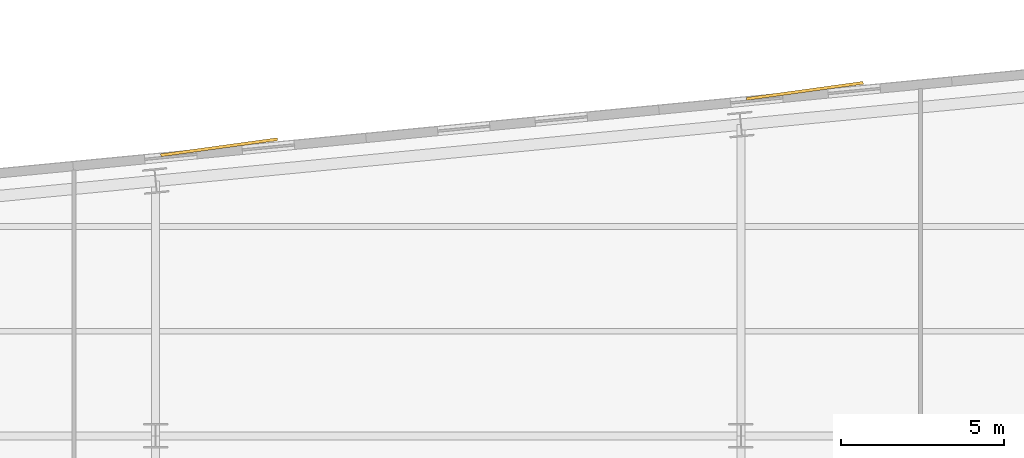
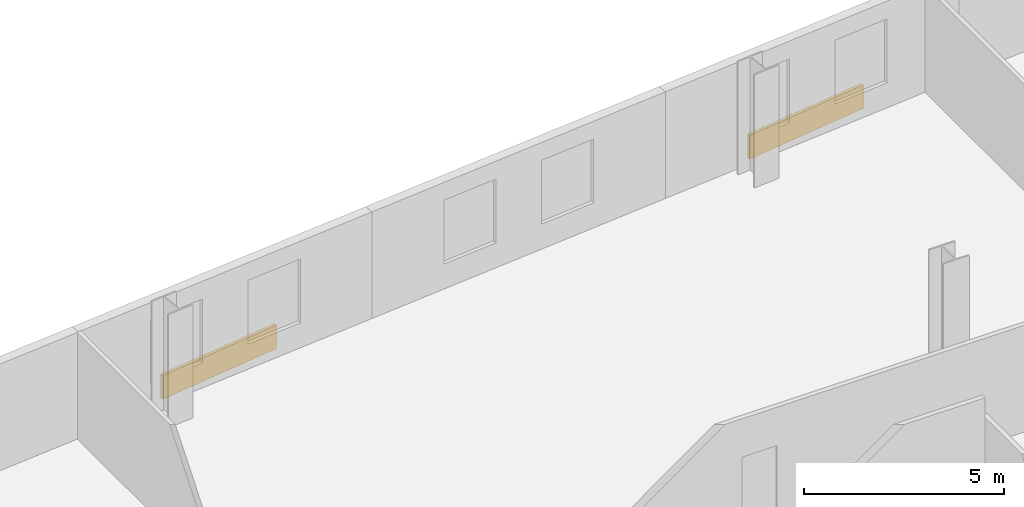
# One storey, part 10 of 10: 2 coverings.
"""IFC4 building model written with IfcOpenShell, lengths in metres."""

from ifc_helpers import new_model, si_unit, direction, frame, origin, origin_2d, place, context, subcontext, project, spatial, rectangle, extrude, material, layer, layer_set, type_object, element, save


model = new_model("IFC4")

# Units and contexts
model_context = context("Model", 3, precision=1e-05, world=origin(), true_north=direction((0.0, 1.0)))
body_context = subcontext(model_context, "Body", "Model", "MODEL_VIEW")
ifc_project = project(units=[si_unit("LENGTHUNIT", "METRE"), si_unit("AREAUNIT", "SQUARE_METRE"), si_unit("VOLUMEUNIT", "CUBIC_METRE"), si_unit("PLANEANGLEUNIT", "RADIAN"), si_unit("MASSUNIT", "GRAM", prefix="KILO")], contexts=[model_context])

# Site, building, storey
site_placement = place(None, origin())
site = spatial("IfcSite", under=ifc_project, at=site_placement, CompositionType="ELEMENT")
building_placement = place(site_placement, origin())
building = spatial("IfcBuilding", under=site, at=building_placement, Name="Velakula Bourse", CompositionType="ELEMENT")
storey_placement = place(building_placement, frame((0.0, 0.0, 77.64990234375)))
storey = spatial("IfcBuildingStorey", under=building, at=storey_placement, Name="L20", CompositionType="ELEMENT", Elevation=77.64990234375)

# Coverings
ifc_material = material(Name="Buff kilned clay facing brick masonry", Category="masonry")
ifc_layer = layer(ifc_material, 0.074951171875, Name="Buff kilned clay facing brick masonry", Category="masonry")
ifc_layer_set = layer_set([ifc_layer], Name="Buff kilned clay facing brick masonry")
covering_type = type_object("IfcCoveringType", Name="COV-BRK-SPN-75", PredefinedType="CLADDING", material=ifc_layer_set)
for number, where, z_axis, x_axis, name in (
    (1, (-7.0087890625, 23.428955078125, 0.0), (0.0, 0.0, 1.0), (0.990629029058, 0.136580111242, 0.0), "L20 Folded Brick Facade Cladding Panel N-B2"),
    (2, (10.908447265625, 25.154052734375, 0.0), (0.0, 0.0, 1.0), (0.990629029058, 0.136580111242, 0.0), "L20 Folded Brick Facade Cladding Panel N-B4"),
):
    element("IfcCovering", number, at=place(storey_placement, frame(where, z_axis=z_axis, x_axis=x_axis)), inside=storey, type_object=covering_type, Name=name, PredefinedType="CLADDING", context=body_context, shape_type="SweptSolid", body=[
        extrude(rectangle(XDim=3.60009765625, YDim=0.090087890625, at=origin_2d()), origin(), (0.0, 0.0, 1.0), 0.719970703125),
    ])

save(model, "model.ifc")
